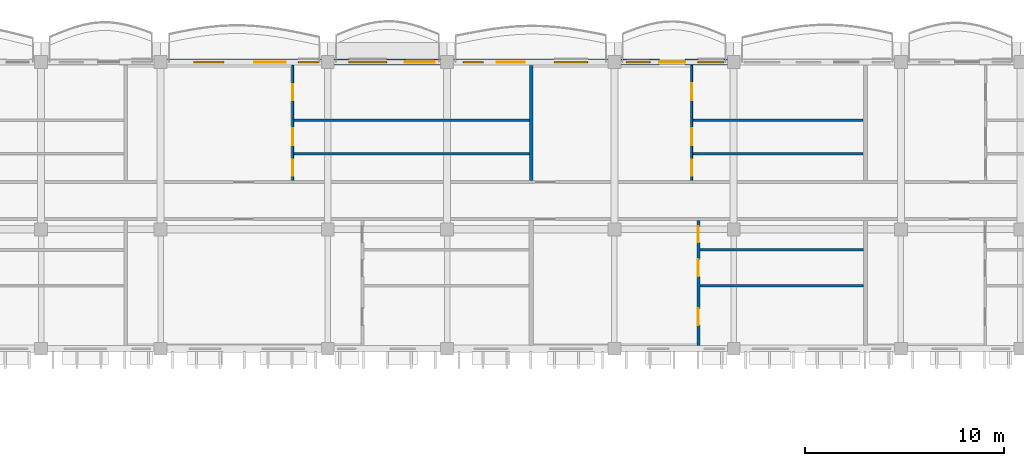
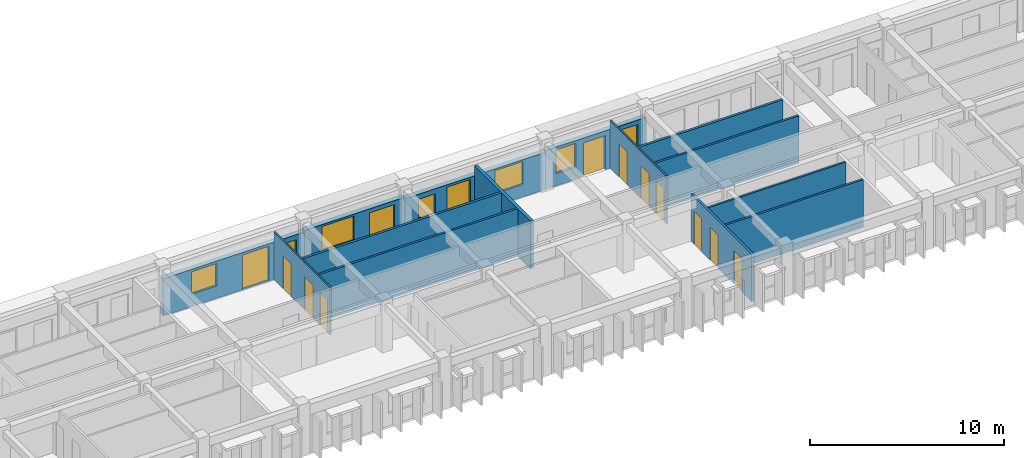
# One storey, part 27 of 66: 14 walls, 13 doors, 7 windows, 20 openings.
"""IFC4 building model written with IfcOpenShell, lengths in metres."""

from ifc_helpers import new_model, si_unit, direction, frame, frame_2d, origin, place, context, subcontext, project, spatial, rectangle, extrude, material, layer, layer_set, type_object, element, fill, save


model = new_model("IFC4")

# Units and contexts
model_context = context("Model", 3, precision=1e-05, world=origin(), true_north=direction((0.0, 1.0)))
body_context = subcontext(model_context, "Body", "Model", "MODEL_VIEW")
ifc_project = project(units=[si_unit("LENGTHUNIT", "METRE"), si_unit("AREAUNIT", "SQUARE_METRE"), si_unit("VOLUMEUNIT", "CUBIC_METRE"), si_unit("PLANEANGLEUNIT", "RADIAN"), si_unit("MASSUNIT", "GRAM", prefix="KILO"), si_unit("THERMODYNAMICTEMPERATUREUNIT", "KELVIN")], contexts=[model_context])

# Site, building, storey
site_placement = place(None, origin())
site = spatial("IfcSite", under=ifc_project, at=site_placement, CompositionType="ELEMENT")
building_placement = place(site_placement, origin())
building = spatial("IfcBuilding", under=site, at=building_placement, Name="Thalorik Housing Commons", CompositionType="ELEMENT")
storey_placement = place(building_placement, frame((0.0, 0.0, 21.300048828125)))
storey = spatial("IfcBuildingStorey", under=building, at=storey_placement, Name="L06", CompositionType="ELEMENT", Elevation=21.300048828125)

# Wall, openings, door, windows
ifc_material_1 = material(Name="White precast concrete C40/50", Category="concrete")
ifc_layer_1 = layer(ifc_material_1, 0.304931640625, Name="White precast concrete C40/50", Category="concrete")
ifc_layer_set_1 = layer_set([ifc_layer_1], Name="White precast concrete C40/50")
wall_type_1 = type_object("IfcWallType", Name="ARC-WAL-EXT-305", PredefinedType="STANDARD", material=ifc_layer_set_1)
wall_1_placement = place(storey_placement, frame((129.60009765625, 123.60009765625, 0.0), z_axis=(0.0, 0.0, 1.0), x_axis=(-1.0, 0.0, 0.0)))
wall_1 = element("IfcWall", 1, at=wall_1_placement, inside=storey, type_object=wall_type_1, Name="L06 Exterior Wall WAL-EXT-L06-B-0605", PredefinedType="STANDARD", context=body_context, shape_type="SweptSolid", body=[
    extrude(rectangle(XDim=6.0, YDim=0.304931640625, at=frame_2d((3.0, 0.0))), origin(), (0.0, 0.0, 1.0), 2.445068359375),
])
opening_1_placement = place(wall_1_placement, frame((2.44091796875, 0.0, 0.0)))
opening_1 = element("IfcOpeningElement", 2, at=opening_1_placement, cuts=wall_1, Name="Opening ED-0197", PredefinedType="OPENING", context=body_context, shape_type="SweptSolid", body=[
    extrude(rectangle(XDim=1.300048828125, YDim=2.14990234375, at=frame_2d((0.64990234375, 1.074951171875))), frame((0.0, 0.16259765625, 0.0), z_axis=(0.0, -1.0, 0.0), x_axis=(1.0, 0.0, 0.0)), (0.0, 0.0, 1.0), 0.324951171875),
])
opening_2_placement = place(wall_1_placement, frame((0.50048828125, 0.0, 0.780029296875)))
opening_2 = element("IfcOpeningElement", 3, at=opening_2_placement, cuts=wall_1, Name="Opening W-06", PredefinedType="OPENING", context=body_context, shape_type="SweptSolid", body=[
    extrude(rectangle(XDim=1.300048828125, YDim=1.39990234375, at=frame_2d((0.64990234375, 0.699951171875))), frame((0.0, 0.16259765625, 0.0), z_axis=(0.0, -1.0, 0.0), x_axis=(1.0, 0.0, 0.0)), (0.0, 0.0, 1.0), 0.324951171875),
])
opening_3_placement = place(wall_1_placement, frame((4.200439453125, 0.0, 0.780029296875)))
opening_3 = element("IfcOpeningElement", 4, at=opening_3_placement, cuts=wall_1, Name="Opening W-05", PredefinedType="OPENING", context=body_context, shape_type="SweptSolid", body=[
    extrude(rectangle(XDim=1.199951171875, YDim=1.5, at=frame_2d((0.60009765625, 0.75))), frame((0.0, 0.16259765625, 0.0), z_axis=(0.0, -1.0, 0.0), x_axis=(1.0, 0.0, 0.0)), (0.0, 0.0, 1.0), 0.324951171875),
])
ifc_material_2 = material(Name="Anodised aluminium and laminated safety glass", Category="aluminium")
door_type_1 = type_object("IfcDoorType", Name="ARC-DR-BAL-1300", OperationType="NOTDEFINED", PredefinedType="DOOR", material=ifc_material_2)
door_1_placement = place(opening_1_placement, frame((1.300048828125, 0.0, 0.0), z_axis=(0.0, 0.0, 1.0), x_axis=(-1.0, 0.0, 0.0)))
door_1 = element("IfcDoor", 5, at=door_1_placement, inside=storey, type_object=door_type_1, Name="L06 Block B Balcony Glazed Door", OperationType="SINGLE_SWING_RIGHT", OverallHeight=2.14990234375, OverallWidth=1.300048828125, PredefinedType="DOOR", context=body_context, shape_type="SweptSolid", body=[
    extrude(rectangle(XDim=1.300048828125, YDim=2.14990234375, at=frame_2d((0.64990234375, 1.074951171875))), frame((0.0, 0.02490234375, 0.0), z_axis=(0.0, -1.0, 0.0), x_axis=(1.0, 0.0, 0.0)), (0.0, 0.0, 1.0), 0.050048828125),
])
fill(opening_1, door_1)
ifc_material_3 = material(Name="Anodised aluminium and solar-control low-E glass", Category="aluminium")
window_type_1 = type_object("IfcWindowType", Name="ARC-WIN-05", PartitioningType="SINGLE_PANEL", PredefinedType="WINDOW", material=ifc_material_3)
window_1_placement = place(opening_3_placement, origin())
window_1 = element("IfcWindow", 6, at=window_1_placement, inside=storey, type_object=window_type_1, Name="L06 Facade Window 1097", OverallHeight=1.5, OverallWidth=1.199951171875, PartitioningType="SINGLE_PANEL", PredefinedType="WINDOW", context=body_context, shape_type="SweptSolid", body=[
    extrude(rectangle(XDim=1.199951171875, YDim=1.5, at=frame_2d((0.60009765625, 0.75))), frame((0.0, 0.030029296875, 0.0), z_axis=(0.0, -1.0, 0.0), x_axis=(1.0, 0.0, 0.0)), (0.0, 0.0, 1.0), 0.06005859375),
])
fill(opening_3, window_1)
window_type_2 = type_object("IfcWindowType", Name="ARC-WIN-06", PartitioningType="SINGLE_PANEL", PredefinedType="WINDOW", material=ifc_material_3)
window_2_placement = place(opening_2_placement, origin())
window_2 = element("IfcWindow", 7, at=window_2_placement, inside=storey, type_object=window_type_2, Name="L06 Facade Window 1096", OverallHeight=1.39990234375, OverallWidth=1.300048828125, PartitioningType="SINGLE_PANEL", PredefinedType="WINDOW", context=body_context, shape_type="SweptSolid", body=[
    extrude(rectangle(XDim=1.300048828125, YDim=1.39990234375, at=frame_2d((0.64990234375, 0.699951171875))), frame((0.0, 0.030029296875, 0.0), z_axis=(0.0, -1.0, 0.0), x_axis=(1.0, 0.0, 0.0)), (0.0, 0.0, 1.0), 0.06005859375),
])
fill(opening_2, window_2)

wall_2_placement = place(storey_placement, frame((123.60009765625, 123.60009765625, 0.0), z_axis=(0.0, 0.0, 1.0), x_axis=(-1.0, 0.0, 0.0)))
wall_2 = element("IfcWall", 8, at=wall_2_placement, inside=storey, type_object=wall_type_1, Name="L06 Exterior Wall WAL-EXT-L06-B-0606", PredefinedType="STANDARD", context=body_context, shape_type="SweptSolid", body=[
    extrude(rectangle(XDim=8.400146484375, YDim=0.304931640625, at=frame_2d((4.2001953125, 0.0))), origin(), (0.0, 0.0, 1.0), 2.344970703125),
])
opening_4_placement = place(wall_2_placement, frame((4.5, 0.0, 0.0)))
opening_4 = element("IfcOpeningElement", 9, at=opening_4_placement, cuts=wall_2, Name="Opening ED-0198", PredefinedType="OPENING", context=body_context, shape_type="SweptSolid", body=[
    extrude(rectangle(XDim=1.39990234375, YDim=2.199951171875, at=frame_2d((0.699951171875, 1.10009765625))), frame((0.0, 0.16259765625, 0.0), z_axis=(0.0, -1.0, 0.0), x_axis=(1.0, 0.0, 0.0)), (0.0, 0.0, 1.0), 0.324951171875),
])
opening_5_placement = place(wall_2_placement, frame((1.340087890625, 0.0, 0.780029296875)))
opening_5 = element("IfcOpeningElement", 10, at=opening_5_placement, cuts=wall_2, Name="Opening W-55", PredefinedType="OPENING", context=body_context, shape_type="SweptSolid", body=[
    extrude(rectangle(XDim=1.679931640625, YDim=1.4599609375, at=frame_2d((0.83984375, 0.72998046875))), frame((0.0, 0.16259765625, 0.0), z_axis=(0.0, -1.0, 0.0), x_axis=(1.0, 0.0, 0.0)), (0.0, 0.0, 1.0), 0.324951171875),
])
opening_6_placement = place(wall_2_placement, frame((6.580078125, 0.0, 0.780029296875)))
opening_6 = element("IfcOpeningElement", 11, at=opening_6_placement, cuts=wall_2, Name="Opening W-02", PredefinedType="OPENING", context=body_context, shape_type="SweptSolid", body=[
    extrude(rectangle(XDim=1.0, YDim=1.25, at=frame_2d((0.5, 0.625))), frame((0.0, 0.16259765625, 0.0), z_axis=(0.0, -1.0, 0.0), x_axis=(1.0, 0.0, 0.0)), (0.0, 0.0, 1.0), 0.324951171875),
])
door_type_2 = type_object("IfcDoorType", Name="ARC-DR-BAL-1400", OperationType="NOTDEFINED", PredefinedType="DOOR", material=ifc_material_2)
door_2_placement = place(opening_4_placement, frame((1.39990234375, 0.0, 0.0), z_axis=(0.0, 0.0, 1.0), x_axis=(-1.0, 0.0, 0.0)))
door_2 = element("IfcDoor", 12, at=door_2_placement, inside=storey, type_object=door_type_2, Name="L06 Block B Balcony Glazed Door", OperationType="SLIDING_TO_LEFT", OverallHeight=2.199951171875, OverallWidth=1.39990234375, PredefinedType="DOOR", context=body_context, shape_type="SweptSolid", body=[
    extrude(rectangle(XDim=1.39990234375, YDim=2.199951171875, at=frame_2d((0.699951171875, 1.10009765625))), frame((0.0, 0.02490234375, 0.0), z_axis=(0.0, -1.0, 0.0), x_axis=(1.0, 0.0, 0.0)), (0.0, 0.0, 1.0), 0.050048828125),
])
fill(opening_4, door_2)
window_type_3 = type_object("IfcWindowType", Name="ARC-WIN-02", PartitioningType="SINGLE_PANEL", PredefinedType="WINDOW", material=ifc_material_3)
window_3_placement = place(opening_6_placement, origin())
window_3 = element("IfcWindow", 13, at=window_3_placement, inside=storey, type_object=window_type_3, Name="L06 Facade Window 1099", OverallHeight=1.25, OverallWidth=1.0, PartitioningType="SINGLE_PANEL", PredefinedType="WINDOW", context=body_context, shape_type="SweptSolid", body=[
    extrude(rectangle(XDim=1.0, YDim=1.25, at=frame_2d((0.5, 0.625))), frame((0.0, 0.030029296875, 0.0), z_axis=(0.0, -1.0, 0.0), x_axis=(1.0, 0.0, 0.0)), (0.0, 0.0, 1.0), 0.06005859375),
])
fill(opening_6, window_3)
window_type_4 = type_object("IfcWindowType", Name="ARC-WIN-55", PartitioningType="DOUBLE_PANEL_VERTICAL", PredefinedType="WINDOW", material=ifc_material_3)
window_4_placement = place(opening_5_placement, origin())
window_4 = element("IfcWindow", 14, at=window_4_placement, inside=storey, type_object=window_type_4, Name="L06 Facade Window 1098", OverallHeight=1.4599609375, OverallWidth=1.679931640625, PartitioningType="DOUBLE_PANEL_VERTICAL", PredefinedType="WINDOW", context=body_context, shape_type="SweptSolid", body=[
    extrude(rectangle(XDim=1.679931640625, YDim=1.4599609375, at=frame_2d((0.83984375, 0.72998046875))), frame((0.0, 0.030029296875, 0.0), z_axis=(0.0, -1.0, 0.0), x_axis=(1.0, 0.0, 0.0)), (0.0, 0.0, 1.0), 0.06005859375),
])
fill(opening_5, window_4)

# Wall, openings, door, window
wall_3_placement = place(storey_placement, frame((115.199951171875, 123.60009765625, 0.0), z_axis=(0.0, 0.0, 1.0), x_axis=(-1.0, 0.0, 0.0)))
wall_3 = element("IfcWall", 15, at=wall_3_placement, inside=storey, type_object=wall_type_1, Name="L06 Exterior Wall WAL-EXT-L06-B-0607", PredefinedType="STANDARD", context=body_context, shape_type="SweptSolid", body=[
    extrude(rectangle(XDim=6.0, YDim=0.304931640625, at=frame_2d((3.0, 0.0))), origin(), (0.0, 0.0, 1.0), 2.445068359375),
])
opening_7_placement = place(wall_3_placement, frame((0.6201171875, 0.0, 0.0)))
opening_7 = element("IfcOpeningElement", 16, at=opening_7_placement, cuts=wall_3, Name="Opening ED-0199", PredefinedType="OPENING", context=body_context, shape_type="SweptSolid", body=[
    extrude(rectangle(XDim=1.5, YDim=2.199951171875, at=frame_2d((0.75, 1.10009765625))), frame((0.0, 0.16259765625, 0.0), z_axis=(0.0, -1.0, 0.0), x_axis=(1.0, 0.0, 0.0)), (0.0, 0.0, 1.0), 0.324951171875),
])
opening_8_placement = place(wall_3_placement, frame((3.0400390625, 0.0, 0.780029296875)))
opening_8 = element("IfcOpeningElement", 17, at=opening_8_placement, cuts=wall_3, Name="Opening W-21", PredefinedType="OPENING", context=body_context, shape_type="SweptSolid", body=[
    extrude(rectangle(XDim=1.89990234375, YDim=1.550048828125, at=frame_2d((0.949951171875, 0.77490234375))), frame((0.0, 0.16259765625, 0.0), z_axis=(0.0, -1.0, 0.0), x_axis=(1.0, 0.0, 0.0)), (0.0, 0.0, 1.0), 0.324951171875),
])
door_type_3 = type_object("IfcDoorType", Name="ARC-DR-BAL-1500", OperationType="NOTDEFINED", PredefinedType="DOOR", material=ifc_material_2)
door_3_placement = place(opening_7_placement, frame((1.5, 0.0, 0.0), z_axis=(0.0, 0.0, 1.0), x_axis=(-1.0, 0.0, 0.0)))
door_3 = element("IfcDoor", 18, at=door_3_placement, inside=storey, type_object=door_type_3, Name="L06 Block B Balcony Glazed Door", OperationType="SLIDING_TO_RIGHT", OverallHeight=2.199951171875, OverallWidth=1.5, PredefinedType="DOOR", context=body_context, shape_type="SweptSolid", body=[
    extrude(rectangle(XDim=1.5, YDim=2.199951171875, at=frame_2d((0.75, 1.10009765625))), frame((0.0, 0.02490234375, 0.0), z_axis=(0.0, -1.0, 0.0), x_axis=(1.0, 0.0, 0.0)), (0.0, 0.0, 1.0), 0.050048828125),
])
fill(opening_7, door_3)
window_type_5 = type_object("IfcWindowType", Name="ARC-WIN-21", PartitioningType="DOUBLE_PANEL_VERTICAL", PredefinedType="WINDOW", material=ifc_material_3)
window_5_placement = place(opening_8_placement, origin())
window_5 = element("IfcWindow", 19, at=window_5_placement, inside=storey, type_object=window_type_5, Name="L06 Facade Window 1100", OverallHeight=1.550048828125, OverallWidth=1.89990234375, PartitioningType="DOUBLE_PANEL_VERTICAL", PredefinedType="WINDOW", context=body_context, shape_type="SweptSolid", body=[
    extrude(rectangle(XDim=1.89990234375, YDim=1.550048828125, at=frame_2d((0.949951171875, 0.77490234375))), frame((0.0, 0.030029296875, 0.0), z_axis=(0.0, -1.0, 0.0), x_axis=(1.0, 0.0, 0.0)), (0.0, 0.0, 1.0), 0.06005859375),
])
fill(opening_8, window_5)

# Wall, openings, door, windows
wall_4_placement = place(storey_placement, frame((109.199951171875, 123.60009765625, 0.0), z_axis=(0.0, 0.0, 1.0), x_axis=(-1.0, 0.0, 0.0)))
wall_4 = element("IfcWall", 20, at=wall_4_placement, inside=storey, type_object=wall_type_1, Name="L06 Exterior Wall WAL-EXT-L06-B-0608", PredefinedType="STANDARD", context=body_context, shape_type="SweptSolid", body=[
    extrude(rectangle(XDim=8.39990234375, YDim=0.304931640625, at=frame_2d((4.199951171875, 0.0))), origin(), (0.0, 0.0, 1.0), 2.344970703125),
])
opening_9_placement = place(wall_4_placement, frame((2.09765625, 0.0, 0.0)))
opening_9 = element("IfcOpeningElement", 21, at=opening_9_placement, cuts=wall_4, Name="Opening ED-0200", PredefinedType="OPENING", context=body_context, shape_type="SweptSolid", body=[
    extrude(rectangle(XDim=1.60009765625, YDim=2.199951171875, at=frame_2d((0.800048828125, 1.10009765625))), frame((0.0, 0.16259765625, 0.0), z_axis=(0.0, -1.0, 0.0), x_axis=(1.0, 0.0, 0.0)), (0.0, 0.0, 1.0), 0.324951171875),
])
opening_10_placement = place(wall_4_placement, frame((0.478759765625, 0.0, 0.780029296875)))
opening_10 = element("IfcOpeningElement", 22, at=opening_10_placement, cuts=wall_4, Name="Opening W-02", PredefinedType="OPENING", context=body_context, shape_type="SweptSolid", body=[
    extrude(rectangle(XDim=1.0, YDim=1.25, at=frame_2d((0.5, 0.625))), frame((0.0, 0.16259765625, 0.0), z_axis=(0.0, -1.0, 0.0), x_axis=(1.0, 0.0, 0.0)), (0.0, 0.0, 1.0), 0.324951171875),
])
opening_11_placement = place(wall_4_placement, frame((5.21875, 0.0, 0.780029296875)))
opening_11 = element("IfcOpeningElement", 23, at=opening_11_placement, cuts=wall_4, Name="Opening W-52", PredefinedType="OPENING", context=body_context, shape_type="SweptSolid", body=[
    extrude(rectangle(XDim=1.52001953125, YDim=1.419921875, at=frame_2d((0.760009765625, 0.7099609375))), frame((0.0, 0.16259765625, 0.0), z_axis=(0.0, -1.0, 0.0), x_axis=(1.0, 0.0, 0.0)), (0.0, 0.0, 1.0), 0.324951171875),
])
door_type_4 = type_object("IfcDoorType", Name="ARC-DR-BAL-1600", OperationType="NOTDEFINED", PredefinedType="DOOR", material=ifc_material_2)
door_4_placement = place(opening_9_placement, frame((1.60009765625, 0.0, 0.0), z_axis=(0.0, 0.0, 1.0), x_axis=(-1.0, 0.0, 0.0)))
door_4 = element("IfcDoor", 24, at=door_4_placement, inside=storey, type_object=door_type_4, Name="L06 Block B Balcony Glazed Door", OperationType="SLIDING_TO_LEFT", OverallHeight=2.199951171875, OverallWidth=1.60009765625, PredefinedType="DOOR", context=body_context, shape_type="SweptSolid", body=[
    extrude(rectangle(XDim=1.60009765625, YDim=2.199951171875, at=frame_2d((0.800048828125, 1.10009765625))), frame((0.0, 0.02490234375, 0.0), z_axis=(0.0, -1.0, 0.0), x_axis=(1.0, 0.0, 0.0)), (0.0, 0.0, 1.0), 0.050048828125),
])
fill(opening_9, door_4)
window_6_placement = place(opening_10_placement, origin())
window_6 = element("IfcWindow", 25, at=window_6_placement, inside=storey, type_object=window_type_3, Name="L06 Facade Window 1101", OverallHeight=1.25, OverallWidth=1.0, PartitioningType="SINGLE_PANEL", PredefinedType="WINDOW", context=body_context, shape_type="SweptSolid", body=[
    extrude(rectangle(XDim=1.0, YDim=1.25, at=frame_2d((0.5, 0.625))), frame((0.0, 0.030029296875, 0.0), z_axis=(0.0, -1.0, 0.0), x_axis=(1.0, 0.0, 0.0)), (0.0, 0.0, 1.0), 0.06005859375),
])
fill(opening_10, window_6)
window_type_6 = type_object("IfcWindowType", Name="ARC-WIN-52", PartitioningType="SINGLE_PANEL", PredefinedType="WINDOW", material=ifc_material_3)
window_7_placement = place(opening_11_placement, origin())
window_7 = element("IfcWindow", 26, at=window_7_placement, inside=storey, type_object=window_type_6, Name="L06 Facade Window 1102", OverallHeight=1.419921875, OverallWidth=1.52001953125, PartitioningType="SINGLE_PANEL", PredefinedType="WINDOW", context=body_context, shape_type="SweptSolid", body=[
    extrude(rectangle(XDim=1.52001953125, YDim=1.419921875, at=frame_2d((0.760009765625, 0.7099609375))), frame((0.0, 0.030029296875, 0.0), z_axis=(0.0, -1.0, 0.0), x_axis=(1.0, 0.0, 0.0)), (0.0, 0.0, 1.0), 0.06005859375),
])
fill(opening_11, window_7)

# Wall, openings, doors
ifc_material_4 = material(Name="Gypsum light stud partition", Category="masonry")
ifc_layer_2 = layer(ifc_material_4, 0.10009765625, Name="Gypsum light stud partition", Category="masonry")
ifc_layer_set_2 = layer_set([ifc_layer_2], Name="Gypsum light stud partition")
wall_type_2 = type_object("IfcWallType", Name="ARC-WAL-PART-100", PredefinedType="PARTITIONING", material=ifc_layer_set_2)
wall_5_placement = place(storey_placement, frame((107.432373046875, 117.656982421875, 0.0), z_axis=(0.0, 0.0, 1.0), x_axis=(0.0, 1.0, 0.0)))
wall_5 = element("IfcWall", 27, at=wall_5_placement, inside=storey, type_object=wall_type_2, Name="L06 Unit 2B Spine Partition", PredefinedType="PARTITIONING", context=body_context, shape_type="SweptSolid", body=[
    extrude(rectangle(XDim=5.78857421875, YDim=0.10009765625, at=frame_2d((2.894287109375, 0.0))), origin(), (0.0, 0.0, 1.0), 3.0),
])
opening_12_placement = place(wall_5_placement, frame((0.23828125, 0.0, 0.0)))
opening_12 = element("IfcOpeningElement", 28, at=opening_12_placement, cuts=wall_5, Name="Opening ID-1230", PredefinedType="OPENING", context=body_context, shape_type="SweptSolid", body=[
    extrude(rectangle(XDim=0.800048828125, YDim=2.10009765625, at=frame_2d((0.39990234375, 1.050048828125))), frame((0.0, 0.06005859375, 0.0), z_axis=(0.0, -1.0, 0.0), x_axis=(1.0, 0.0, 0.0)), (0.0, 0.0, 1.0), 0.1201171875),
])
opening_13_placement = place(wall_5_placement, frame((1.7626953125, 0.0, 0.0)))
opening_13 = element("IfcOpeningElement", 29, at=opening_13_placement, cuts=wall_5, Name="Opening ID-1231", PredefinedType="OPENING", context=body_context, shape_type="SweptSolid", body=[
    extrude(rectangle(XDim=0.85009765625, YDim=2.10009765625, at=frame_2d((0.425048828125, 1.050048828125))), frame((0.0, 0.06005859375, 0.0), z_axis=(0.0, -1.0, 0.0), x_axis=(1.0, 0.0, 0.0)), (0.0, 0.0, 1.0), 0.1201171875),
])
opening_14_placement = place(wall_5_placement, frame((4.027587890625, 0.0, 0.0)))
opening_14 = element("IfcOpeningElement", 30, at=opening_14_placement, cuts=wall_5, Name="Opening ID-1232", PredefinedType="OPENING", context=body_context, shape_type="SweptSolid", body=[
    extrude(rectangle(XDim=0.820068359375, YDim=2.080078125, at=frame_2d((0.41015625, 1.0400390625))), frame((0.0, 0.06005859375, 0.0), z_axis=(0.0, -1.0, 0.0), x_axis=(1.0, 0.0, 0.0)), (0.0, 0.0, 1.0), 0.1201171875),
])
ifc_material_5 = material(Name="Moisture-resistant timber", Category="wood")
door_type_5 = type_object("IfcDoorType", Name="ARC-DR-INT-800", OperationType="NOTDEFINED", PredefinedType="DOOR", material=ifc_material_5)
door_5_placement = place(opening_12_placement, origin())
door_5 = element("IfcDoor", 31, at=door_5_placement, inside=storey, type_object=door_type_5, Name="L06 Flat Bathroom Door", OperationType="SINGLE_SWING_LEFT", OverallHeight=2.10009765625, OverallWidth=0.800048828125, PredefinedType="DOOR", context=body_context, shape_type="SweptSolid", body=[
    extrude(rectangle(XDim=0.800048828125, YDim=2.10009765625, at=frame_2d((0.39990234375, 1.050048828125))), frame((0.0, 0.02490234375, 0.0), z_axis=(0.0, -1.0, 0.0), x_axis=(1.0, 0.0, 0.0)), (0.0, 0.0, 1.0), 0.050048828125),
])
fill(opening_12, door_5)
ifc_material_6 = material(Name="Engineered oak timber", Category="wood")
door_type_6 = type_object("IfcDoorType", Name="ARC-DR-INT-820", OperationType="NOTDEFINED", PredefinedType="DOOR", material=ifc_material_6)
door_6_placement = place(opening_14_placement, origin())
door_6 = element("IfcDoor", 32, at=door_6_placement, inside=storey, type_object=door_type_6, Name="L06 Single Bedroom Door", OperationType="SINGLE_SWING_LEFT", OverallHeight=2.080078125, OverallWidth=0.820068359375, PredefinedType="DOOR", context=body_context, shape_type="SweptSolid", body=[
    extrude(rectangle(XDim=0.820068359375, YDim=2.080078125, at=frame_2d((0.41015625, 1.0400390625))), frame((0.0, 0.02490234375, 0.0), z_axis=(0.0, -1.0, 0.0), x_axis=(1.0, 0.0, 0.0)), (0.0, 0.0, 1.0), 0.050048828125),
])
fill(opening_14, door_6)
door_type_7 = type_object("IfcDoorType", Name="ARC-DR-INT-850", OperationType="NOTDEFINED", PredefinedType="DOOR", material=ifc_material_6)
door_7_placement = place(opening_13_placement, origin())
door_7 = element("IfcDoor", 33, at=door_7_placement, inside=storey, type_object=door_type_7, Name="L06 Galley Kitchen Door", OperationType="SINGLE_SWING_RIGHT", OverallHeight=2.10009765625, OverallWidth=0.85009765625, PredefinedType="DOOR", context=body_context, shape_type="SweptSolid", body=[
    extrude(rectangle(XDim=0.85009765625, YDim=2.10009765625, at=frame_2d((0.425048828125, 1.050048828125))), frame((0.0, 0.02490234375, 0.0), z_axis=(0.0, -1.0, 0.0), x_axis=(1.0, 0.0, 0.0)), (0.0, 0.0, 1.0), 0.050048828125),
])
fill(opening_13, door_7)

wall_6_placement = place(storey_placement, frame((127.4892578125, 117.656982421875, 0.0), z_axis=(0.0, 0.0, 1.0), x_axis=(0.0, 1.0, 0.0)))
wall_6 = element("IfcWall", 34, at=wall_6_placement, inside=storey, type_object=wall_type_2, Name="L06 Unit 3B Spine Partition", PredefinedType="PARTITIONING", context=body_context, shape_type="SweptSolid", body=[
    extrude(rectangle(XDim=5.78857421875, YDim=0.10009765625, at=frame_2d((2.894287109375, 0.0))), origin(), (0.0, 0.0, 1.0), 3.0),
])
opening_15_placement = place(wall_6_placement, frame((0.23828125, 0.0, 0.0)))
opening_15 = element("IfcOpeningElement", 35, at=opening_15_placement, cuts=wall_6, Name="Opening ID-1236", PredefinedType="OPENING", context=body_context, shape_type="SweptSolid", body=[
    extrude(rectangle(XDim=0.800048828125, YDim=2.10009765625, at=frame_2d((0.39990234375, 1.050048828125))), frame((0.0, 0.06005859375, 0.0), z_axis=(0.0, -1.0, 0.0), x_axis=(1.0, 0.0, 0.0)), (0.0, 0.0, 1.0), 0.1201171875),
])
opening_16_placement = place(wall_6_placement, frame((1.7626953125, 0.0, 0.0)))
opening_16 = element("IfcOpeningElement", 36, at=opening_16_placement, cuts=wall_6, Name="Opening ID-1237", PredefinedType="OPENING", context=body_context, shape_type="SweptSolid", body=[
    extrude(rectangle(XDim=0.85009765625, YDim=2.10009765625, at=frame_2d((0.425048828125, 1.050048828125))), frame((0.0, 0.06005859375, 0.0), z_axis=(0.0, -1.0, 0.0), x_axis=(1.0, 0.0, 0.0)), (0.0, 0.0, 1.0), 0.1201171875),
])
opening_17_placement = place(wall_6_placement, frame((4.027587890625, 0.0, 0.0)))
opening_17 = element("IfcOpeningElement", 37, at=opening_17_placement, cuts=wall_6, Name="Opening ID-1238", PredefinedType="OPENING", context=body_context, shape_type="SweptSolid", body=[
    extrude(rectangle(XDim=0.85009765625, YDim=2.10009765625, at=frame_2d((0.425048828125, 1.050048828125))), frame((0.0, 0.06005859375, 0.0), z_axis=(0.0, -1.0, 0.0), x_axis=(1.0, 0.0, 0.0)), (0.0, 0.0, 1.0), 0.1201171875),
])
door_8_placement = place(opening_15_placement, origin())
door_8 = element("IfcDoor", 38, at=door_8_placement, inside=storey, type_object=door_type_5, Name="L06 Flat Bathroom Door", OperationType="SINGLE_SWING_LEFT", OverallHeight=2.10009765625, OverallWidth=0.800048828125, PredefinedType="DOOR", context=body_context, shape_type="SweptSolid", body=[
    extrude(rectangle(XDim=0.800048828125, YDim=2.10009765625, at=frame_2d((0.39990234375, 1.050048828125))), frame((0.0, 0.02490234375, 0.0), z_axis=(0.0, -1.0, 0.0), x_axis=(1.0, 0.0, 0.0)), (0.0, 0.0, 1.0), 0.050048828125),
])
fill(opening_15, door_8)
door_9_placement = place(opening_16_placement, origin())
door_9 = element("IfcDoor", 39, at=door_9_placement, inside=storey, type_object=door_type_7, Name="L06 Eat-In Kitchen Door", OperationType="SINGLE_SWING_RIGHT", OverallHeight=2.10009765625, OverallWidth=0.85009765625, PredefinedType="DOOR", context=body_context, shape_type="SweptSolid", body=[
    extrude(rectangle(XDim=0.85009765625, YDim=2.10009765625, at=frame_2d((0.425048828125, 1.050048828125))), frame((0.0, 0.02490234375, 0.0), z_axis=(0.0, -1.0, 0.0), x_axis=(1.0, 0.0, 0.0)), (0.0, 0.0, 1.0), 0.050048828125),
])
fill(opening_16, door_9)
door_10_placement = place(opening_17_placement, origin())
door_10 = element("IfcDoor", 40, at=door_10_placement, inside=storey, type_object=door_type_7, Name="L06 Master Bedroom Door", OperationType="SINGLE_SWING_LEFT", OverallHeight=2.10009765625, OverallWidth=0.85009765625, PredefinedType="DOOR", context=body_context, shape_type="SweptSolid", body=[
    extrude(rectangle(XDim=0.85009765625, YDim=2.10009765625, at=frame_2d((0.425048828125, 1.050048828125))), frame((0.0, 0.02490234375, 0.0), z_axis=(0.0, -1.0, 0.0), x_axis=(1.0, 0.0, 0.0)), (0.0, 0.0, 1.0), 0.050048828125),
])
fill(opening_17, door_10)

# Walls
ifc_material_7 = material(Name="Gypsum moisture-resistant partition", Category="masonry")
ifc_layer_3 = layer(ifc_material_7, 0.114990234375, Name="Gypsum moisture-resistant partition", Category="masonry")
ifc_layer_set_3 = layer_set([ifc_layer_3], Name="Gypsum moisture-resistant partition")
wall_type_3 = type_object("IfcWallType", Name="ARC-WAL-PART-115", PredefinedType="PARTITIONING", material=ifc_layer_set_3)
wall_7_placement = place(storey_placement, frame((127.89697265625, 114.169677734375, 0.0), z_axis=(0.0, 0.0, 1.0), x_axis=(1.0, 0.0, 0.0)))
element("IfcWall", 41, at=wall_7_placement, inside=storey, type_object=wall_type_3, Name="L06 Unit 3 Wet Wall", PredefinedType="PARTITIONING", context=body_context, shape_type="SweptSolid", body=[
    extrude(rectangle(XDim=8.220947265625, YDim=0.114990234375, at=frame_2d((4.1103515625, 0.0))), origin(), (0.0, 0.0, 1.0), 3.0),
])
ifc_material_8 = material(Name="Gypsum acoustic stud partition", Category="masonry")
ifc_layer_4 = layer(ifc_material_8, 0.125, Name="Gypsum acoustic stud partition", Category="masonry")
ifc_layer_set_4 = layer_set([ifc_layer_4], Name="Gypsum acoustic stud partition")
wall_type_4 = type_object("IfcWallType", Name="ARC-WAL-PART-125", PredefinedType="PARTITIONING", material=ifc_layer_set_4)
wall_8_placement = place(storey_placement, frame((107.484375, 119.010498046875, 0.0), z_axis=(0.0, 0.0, 1.0), x_axis=(1.0, 0.0, 0.0)))
element("IfcWall", 42, at=wall_8_placement, inside=storey, type_object=wall_type_4, Name="L06 Unit 2B Wet Wall", PredefinedType="PARTITIONING", context=body_context, shape_type="SweptSolid", body=[
    extrude(rectangle(XDim=11.85107421875, YDim=0.125, at=frame_2d((5.925537109375, 0.0))), origin(), (0.0, 0.0, 1.0), 3.0),
])
wall_9_placement = place(storey_placement, frame((127.89697265625, 112.36083984375, 0.0), z_axis=(0.0, 0.0, 1.0), x_axis=(1.0, 0.0, 0.0)))
element("IfcWall", 43, at=wall_9_placement, inside=storey, type_object=wall_type_4, Name="L06 Unit 3 Bedroom Partition", PredefinedType="PARTITIONING", context=body_context, shape_type="SweptSolid", body=[
    extrude(rectangle(XDim=8.220947265625, YDim=0.125, at=frame_2d((4.1103515625, 0.0))), origin(), (0.0, 0.0, 1.0), 3.0),
])
wall_10_placement = place(storey_placement, frame((127.541259765625, 119.010498046875, 0.0), z_axis=(0.0, 0.0, 1.0), x_axis=(1.0, 0.0, 0.0)))
element("IfcWall", 44, at=wall_10_placement, inside=storey, type_object=wall_type_4, Name="L06 Unit 3B Wet Wall", PredefinedType="PARTITIONING", context=body_context, shape_type="SweptSolid", body=[
    extrude(rectangle(XDim=8.566650390625, YDim=0.125, at=frame_2d((4.283203125, 0.0))), origin(), (0.0, 0.0, 1.0), 3.0),
])
ifc_material_9 = material(Name="Ceramic masonry partition wall", Category="masonry")
ifc_layer_5 = layer(ifc_material_9, 0.139892578125, Name="Ceramic masonry partition wall", Category="masonry")
ifc_layer_set_5 = layer_set([ifc_layer_5], Name="Ceramic masonry partition wall")
wall_type_5 = type_object("IfcWallType", Name="ARC-WAL-PART-140", PredefinedType="PARTITIONING", material=ifc_layer_set_5)
wall_11_placement = place(storey_placement, frame((107.484375, 120.67919921875, 0.0), z_axis=(0.0, 0.0, 1.0), x_axis=(1.0, 0.0, 0.0)))
element("IfcWall", 45, at=wall_11_placement, inside=storey, type_object=wall_type_5, Name="L06 Unit 2B Bedroom Partition", PredefinedType="PARTITIONING", context=body_context, shape_type="SweptSolid", body=[
    extrude(rectangle(XDim=11.85107421875, YDim=0.139892578125, at=frame_2d((5.925537109375, 0.0))), origin(), (0.0, 0.0, 1.0), 3.0),
])

# Wall, openings, doors
wall_12_placement = place(storey_placement, frame((127.824951171875, 109.3544921875, 0.0), z_axis=(0.0, 0.0, 1.0), x_axis=(0.0, 1.0, 0.0)))
wall_12 = element("IfcWall", 46, at=wall_12_placement, inside=storey, type_object=wall_type_5, Name="L06 Unit 3 Spine Partition", PredefinedType="PARTITIONING", context=body_context, shape_type="SweptSolid", body=[
    extrude(rectangle(XDim=6.281005859375, YDim=0.139892578125, at=frame_2d((3.140625, 0.0))), origin(), (0.0, 0.0, 1.0), 3.0),
])
opening_18_placement = place(wall_12_placement, frame((1.031005859375, 0.0, 0.0)))
opening_18 = element("IfcOpeningElement", 47, at=opening_18_placement, cuts=wall_12, Name="Opening ID-1233", PredefinedType="OPENING", context=body_context, shape_type="SweptSolid", body=[
    extrude(rectangle(XDim=0.85009765625, YDim=2.10009765625, at=frame_2d((0.425048828125, 1.050048828125))), frame((0.0, 0.080078125, 0.0), z_axis=(0.0, -1.0, 0.0), x_axis=(1.0, 0.0, 0.0)), (0.0, 0.0, 1.0), 0.159912109375),
])
opening_19_placement = place(wall_12_placement, frame((3.485595703125, 0.0, 0.0)))
opening_19 = element("IfcOpeningElement", 48, at=opening_19_placement, cuts=wall_12, Name="Opening ID-1234", PredefinedType="OPENING", context=body_context, shape_type="SweptSolid", body=[
    extrude(rectangle(XDim=0.85009765625, YDim=2.10009765625, at=frame_2d((0.425048828125, 1.050048828125))), frame((0.0, 0.080078125, 0.0), z_axis=(0.0, -1.0, 0.0), x_axis=(1.0, 0.0, 0.0)), (0.0, 0.0, 1.0), 0.159912109375),
])
opening_20_placement = place(wall_12_placement, frame((5.190185546875, 0.0, 0.0)))
opening_20 = element("IfcOpeningElement", 49, at=opening_20_placement, cuts=wall_12, Name="Opening ID-1235", PredefinedType="OPENING", context=body_context, shape_type="SweptSolid", body=[
    extrude(rectangle(XDim=0.800048828125, YDim=2.10009765625, at=frame_2d((0.39990234375, 1.050048828125))), frame((0.0, 0.080078125, 0.0), z_axis=(0.0, -1.0, 0.0), x_axis=(1.0, 0.0, 0.0)), (0.0, 0.0, 1.0), 0.159912109375),
])
door_11_placement = place(opening_20_placement, origin())
door_11 = element("IfcDoor", 50, at=door_11_placement, inside=storey, type_object=door_type_5, Name="L06 Accessible Bathroom Door", OperationType="SINGLE_SWING_RIGHT", OverallHeight=2.10009765625, OverallWidth=0.800048828125, PredefinedType="DOOR", context=body_context, shape_type="SweptSolid", body=[
    extrude(rectangle(XDim=0.800048828125, YDim=2.10009765625, at=frame_2d((0.39990234375, 1.050048828125))), frame((0.0, 0.02490234375, 0.0), z_axis=(0.0, -1.0, 0.0), x_axis=(1.0, 0.0, 0.0)), (0.0, 0.0, 1.0), 0.050048828125),
])
fill(opening_20, door_11)
door_12_placement = place(opening_18_placement, origin())
door_12 = element("IfcDoor", 51, at=door_12_placement, inside=storey, type_object=door_type_7, Name="L06 Single Bedroom Door", OperationType="SINGLE_SWING_RIGHT", OverallHeight=2.10009765625, OverallWidth=0.85009765625, PredefinedType="DOOR", context=body_context, shape_type="SweptSolid", body=[
    extrude(rectangle(XDim=0.85009765625, YDim=2.10009765625, at=frame_2d((0.425048828125, 1.050048828125))), frame((0.0, 0.02490234375, 0.0), z_axis=(0.0, -1.0, 0.0), x_axis=(1.0, 0.0, 0.0)), (0.0, 0.0, 1.0), 0.050048828125),
])
fill(opening_18, door_12)
door_13_placement = place(opening_19_placement, origin())
door_13 = element("IfcDoor", 52, at=door_13_placement, inside=storey, type_object=door_type_7, Name="L06 Eat-In Kitchen Door", OperationType="SINGLE_SWING_LEFT", OverallHeight=2.10009765625, OverallWidth=0.85009765625, PredefinedType="DOOR", context=body_context, shape_type="SweptSolid", body=[
    extrude(rectangle(XDim=0.85009765625, YDim=2.10009765625, at=frame_2d((0.425048828125, 1.050048828125))), frame((0.0, 0.02490234375, 0.0), z_axis=(0.0, -1.0, 0.0), x_axis=(1.0, 0.0, 0.0)), (0.0, 0.0, 1.0), 0.050048828125),
])
fill(opening_19, door_13)

# Walls
wall_13_placement = place(storey_placement, frame((127.541259765625, 120.67919921875, 0.0), z_axis=(0.0, 0.0, 1.0), x_axis=(1.0, 0.0, 0.0)))
element("IfcWall", 53, at=wall_13_placement, inside=storey, type_object=wall_type_5, Name="L06 Unit 3B Bedroom Partition", PredefinedType="PARTITIONING", context=body_context, shape_type="SweptSolid", body=[
    extrude(rectangle(XDim=8.566650390625, YDim=0.139892578125, at=frame_2d((4.283203125, 0.0))), origin(), (0.0, 0.0, 1.0), 3.0),
])
ifc_material_10 = material(Name="Masonry acoustic blockwork wall", Category="masonry")
ifc_layer_6 = layer(ifc_material_10, 0.18505859375, Name="Masonry acoustic blockwork wall", Category="masonry")
ifc_layer_set_6 = layer_set([ifc_layer_6], Name="Masonry acoustic blockwork wall")
wall_type_6 = type_object("IfcWallType", Name="ARC-WAL-PARTY-185", PredefinedType="PARTITIONING", material=ifc_layer_set_6)
wall_14_placement = place(storey_placement, frame((119.429931640625, 117.656982421875, 0.0), z_axis=(0.0, 0.0, 1.0), x_axis=(0.0, 1.0, 0.0)))
element("IfcWall", 54, at=wall_14_placement, inside=storey, type_object=wall_type_6, Name="L06 Inter-Tenancy Wall 2B", PredefinedType="PARTITIONING", context=body_context, shape_type="SweptSolid", body=[
    extrude(rectangle(XDim=5.78857421875, YDim=0.18505859375, at=frame_2d((2.894287109375, 0.0))), origin(), (0.0, 0.0, 1.0), 3.0),
])

save(model, "model.ifc")
